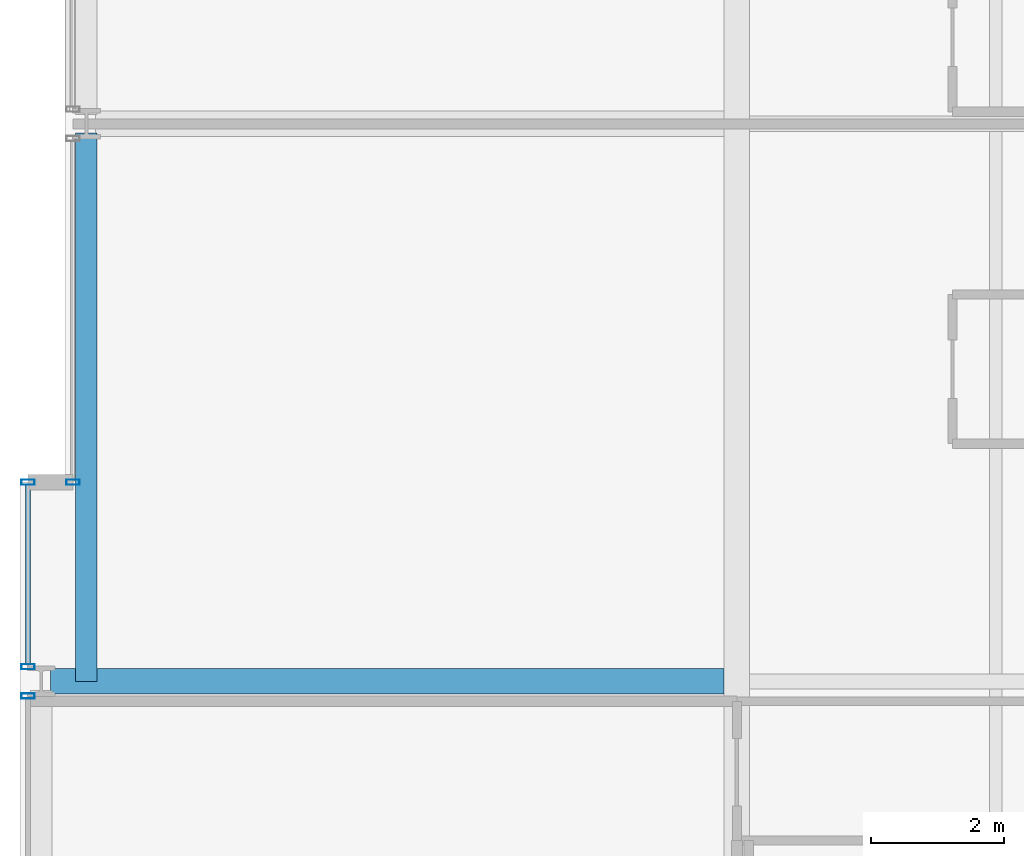
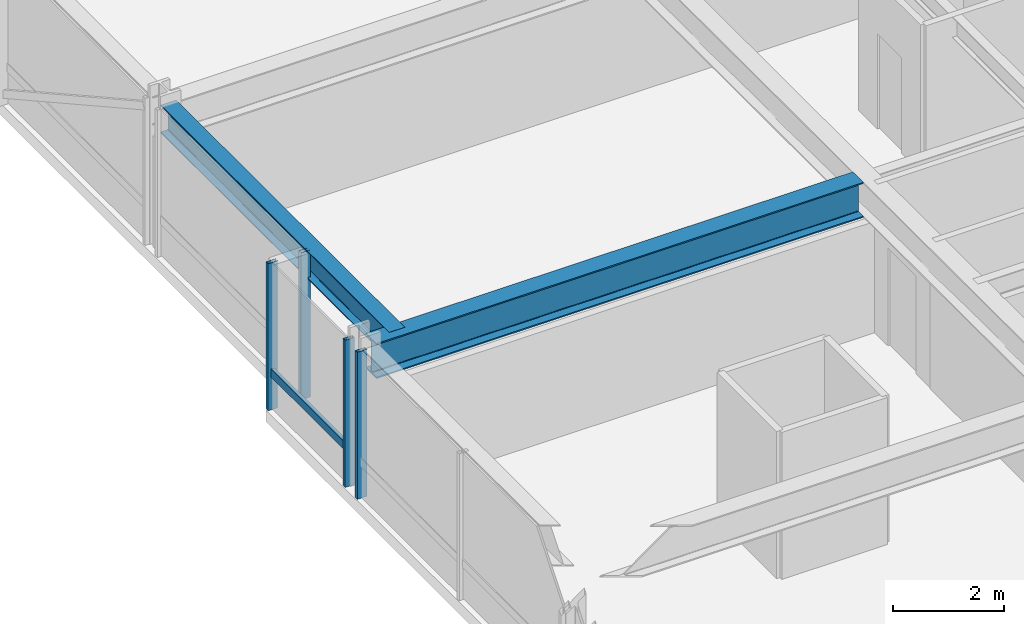
# One storey, part 7 of 35: 5 members, 2 beams, 3 elements without a shape of their own.
"""IFC4 building model written with IfcOpenShell, lengths in metres."""

from ifc_helpers import new_model, si_unit, direction, frame, origin, origin_2d, place, context, subcontext, project, spatial, hollow_rectangle, i_section, extrude, material, layer, layer_set, material_profile, profile_set, type_object, element, aggregate, save


model = new_model("IFC4")

# Units and contexts
model_context = context("Model", 3, precision=1e-05, world=origin(), true_north=direction((0.0, 1.0)))
body_context = subcontext(model_context, "Body", "Model", "MODEL_VIEW")
ifc_project = project(units=[si_unit("LENGTHUNIT", "METRE"), si_unit("AREAUNIT", "SQUARE_METRE"), si_unit("VOLUMEUNIT", "CUBIC_METRE"), si_unit("PLANEANGLEUNIT", "RADIAN"), si_unit("MASSUNIT", "GRAM", prefix="KILO")], contexts=[model_context])

# Site, building, storey
site_placement = place(None, origin())
site = spatial("IfcSite", under=ifc_project, at=site_placement, CompositionType="ELEMENT")
building_placement = place(site_placement, origin())
building = spatial("IfcBuilding", under=site, at=building_placement, Name="Drelvath Grand Hotel", CompositionType="ELEMENT")
storey_placement = place(building_placement, frame((0.0, 0.0, 95.300048828125)))
storey = spatial("IfcBuildingStorey", under=building, at=storey_placement, Name="L23", CompositionType="ELEMENT", Elevation=95.300048828125)

# Curtain wall, member
ifc_material_1 = material(Name="Champagne Bronze Anodised Aluminium Frame", Category="aluminium")
ifc_layer = layer(ifc_material_1, 0.199951171875)
ifc_layer_set = layer_set([ifc_layer], Name="Champagne Bronze Anodised Aluminium Frame")
curtain_wall_type = type_object("IfcCurtainWallType", Name="Stick Curtain Wall CW-03 Champagne Bronze Mid-Rise", PredefinedType="NOTDEFINED", material=ifc_layer_set)
curtain_wall_1_placement = place(storey_placement, origin())
curtain_wall_1 = element("IfcCurtainWall", 1, at=curtain_wall_1_placement, inside=storey, type_object=curtain_wall_type, Name="L23 CW-03 Curtain Wall CW03-L23-WS3", PredefinedType="NOTDEFINED")
ifc_material_profile_1 = material_profile(ifc_material_1, hollow_rectangle(XDim=0.074951171875, YDim=0.179931640625, WallThickness=0.0048828125, at=origin_2d()), Name="HSS180X75X5")
ifc_profile_set_1 = profile_set([ifc_material_profile_1], Name="Champagne Bronze Anodised Aluminium Frame")
member_type_1 = type_object("IfcMemberType", Name="Curtain Wall Horizontal Transom CW-03 HSS180X75X5", PredefinedType="USERDEFINED", material=ifc_profile_set_1)
member_1_placement = place(storey_placement, frame((-26.8798828125, 18.859619140625, 0.81005859375), z_axis=(0.0, 1.0, 0.0), x_axis=(-1.0, 0.0, 0.0)))
member_1 = element("IfcMember", 2, at=member_1_placement, type_object=member_type_1, Name="CW03-L23-WS3 Sill Transom", ObjectType="TRANSOM", PredefinedType="USERDEFINED", context=body_context, shape_type="SweptSolid", body=[
    extrude(hollow_rectangle(XDim=0.074951171875, YDim=0.179931640625, WallThickness=0.0048828125, at=origin_2d()), origin(), (0.0, 0.0, 1.0), 2.700439453125),
])

curtain_wall_2_placement = place(storey_placement, origin())
curtain_wall_2 = element("IfcCurtainWall", 3, at=curtain_wall_2_placement, inside=storey, type_object=curtain_wall_type, Name="L23 CW-03 Curtain Wall CW03-L23-WS2", PredefinedType="NOTDEFINED")
ifc_material_profile_2 = material_profile(ifc_material_1, hollow_rectangle(XDim=0.080078125, YDim=0.199951171875, WallThickness=0.0048828125, at=origin_2d()), Name="HSS200X80X5")
ifc_profile_set_2 = profile_set([ifc_material_profile_2], Name="Champagne Bronze Anodised Aluminium Frame")
member_type_2 = type_object("IfcMemberType", Name="Curtain Wall Vertical Mullion CW-03 HSS200X80X5", PredefinedType="MULLION", material=ifc_profile_set_2)
member_2_placement = place(storey_placement, frame((-26.8798828125, 18.38037109375, 0.0), z_axis=(0.0, 0.0, 1.0), x_axis=(0.0, 1.0, 0.0)))
member_2 = element("IfcMember", 4, at=member_2_placement, type_object=member_type_2, Name="CW03-L23-WS2 Mullion 3", PredefinedType="MULLION", context=body_context, shape_type="SweptSolid", body=[
    extrude(hollow_rectangle(XDim=0.080078125, YDim=0.199951171875, WallThickness=0.0048828125, at=origin_2d()), origin(), (0.0, 0.0, 1.0), 3.239990234375),
])
aggregate(curtain_wall_2, [member_2])

# Member
member_3_placement = place(storey_placement, frame((-26.8798828125, 18.819580078125, 0.0), z_axis=(0.0, 0.0, 1.0), x_axis=(0.0, 1.0, 0.0)))
member_3 = element("IfcMember", 5, at=member_3_placement, type_object=member_type_2, Name="CW03-L23-WS3 Mullion 1", PredefinedType="MULLION", context=body_context, shape_type="SweptSolid", body=[
    extrude(hollow_rectangle(XDim=0.080078125, YDim=0.199951171875, WallThickness=0.0048828125, at=origin_2d()), origin(), (0.0, 0.0, 1.0), 3.239990234375),
])

member_4_placement = place(storey_placement, frame((-26.8798828125, 21.60009765625, 0.0), z_axis=(0.0, 0.0, 1.0), x_axis=(0.0, 1.0, 0.0)))
member_4 = element("IfcMember", 6, at=member_4_placement, type_object=member_type_2, Name="CW03-L23-WS3 Mullion 2", PredefinedType="MULLION", context=body_context, shape_type="SweptSolid", body=[
    extrude(hollow_rectangle(XDim=0.080078125, YDim=0.199951171875, WallThickness=0.0048828125, at=origin_2d()), origin(), (0.0, 0.0, 1.0), 3.239990234375),
])

aggregate(curtain_wall_1, [member_3, member_4, member_1])

# Curtain wall, member
curtain_wall_3_placement = place(storey_placement, origin())
curtain_wall_3 = element("IfcCurtainWall", 7, at=curtain_wall_3_placement, inside=storey, type_object=curtain_wall_type, Name="L23 CW-03 Curtain Wall CW03-L23-WM1", PredefinedType="NOTDEFINED")
member_5_placement = place(storey_placement, frame((-26.199951171875, 21.60009765625, 0.0), z_axis=(0.0, 0.0, 1.0), x_axis=(0.0, 1.0, 0.0)))
member_5 = element("IfcMember", 8, at=member_5_placement, type_object=member_type_2, Name="CW03-L23-WM1 Mullion 1", PredefinedType="MULLION", context=body_context, shape_type="SweptSolid", body=[
    extrude(hollow_rectangle(XDim=0.080078125, YDim=0.199951171875, WallThickness=0.0048828125, at=origin_2d()), origin(), (0.0, 0.0, 1.0), 3.239990234375),
])
aggregate(curtain_wall_3, [member_5])

# Beams
ifc_material_2 = material(Name="Steel ASTM A992 Gr 50", Category="steel")
ifc_material_profile_3 = material_profile(ifc_material_2, i_section(OverallWidth=0.323974609375, OverallDepth=0.611083984375, WebThickness=0.0126953125, FlangeThickness=0.01904296875, FilletRadius=0.02197265625, at=origin_2d()), Name="W24X104")
ifc_profile_set_3 = profile_set([ifc_material_profile_3], Name="Steel ASTM A992 Gr 50")
beam_type_1 = type_object("IfcBeamType", Name="Perimeter Spandrel Beam W24X104", PredefinedType="SPANDREL", material=ifc_profile_set_3)
beam_1_placement = place(storey_placement, frame((-26.0, 18.60009765625, 2.9345703125), z_axis=(0.0, 1.0, 0.0), x_axis=(-1.0, 0.0, 0.0)))
element("IfcBeam", 9, at=beam_1_placement, inside=storey, type_object=beam_type_1, Name="L23 Spandrel West Mid S", PredefinedType="SPANDREL", context=body_context, shape_type="SweptSolid", body=[
    extrude(i_section(OverallWidth=0.323974609375, OverallDepth=0.611083984375, WebThickness=0.0126953125, FlangeThickness=0.01904296875, FilletRadius=0.02197265625, at=origin_2d()), origin(), (0.0, 0.0, 1.0), 8.260009765625),
])
ifc_material_profile_4 = material_profile(ifc_material_2, i_section(OverallWidth=0.380615234375, OverallDepth=0.773193359375, WebThickness=0.0166015625, FlangeThickness=0.027099609375, FilletRadius=0.02490234375, at=origin_2d()), Name="W30X173")
ifc_profile_set_4 = profile_set([ifc_material_profile_4], Name="Steel ASTM A992 Gr 50")
beam_type_2 = type_object("IfcBeamType", Name="Primary Floor Girder W30X173", PredefinedType="BEAM", material=ifc_profile_set_4)
beam_2_placement = place(storey_placement, frame((-26.5400390625, 18.60009765625, 2.853271484375), z_axis=(1.0, 0.0, 0.0), x_axis=(0.0, 1.0, 0.0)))
element("IfcBeam", 10, at=beam_2_placement, inside=storey, type_object=beam_type_2, Name="L23 West Wing Girder D", PredefinedType="BEAM", context=body_context, shape_type="SweptSolid", body=[
    extrude(i_section(OverallWidth=0.380615234375, OverallDepth=0.773193359375, WebThickness=0.0166015625, FlangeThickness=0.027099609375, FilletRadius=0.02490234375, at=origin_2d()), origin(), (0.0, 0.0, 1.0), 10.149658203125),
])

save(model, "model.ifc")
